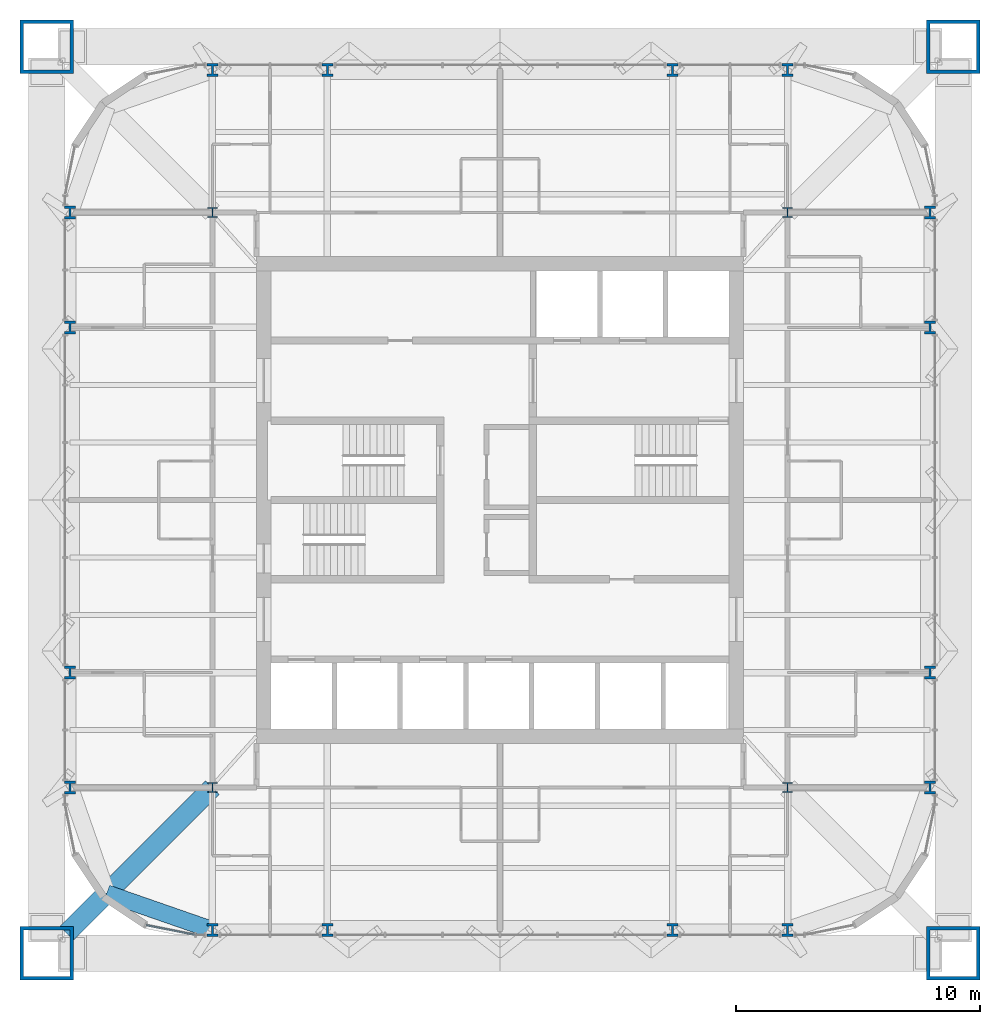
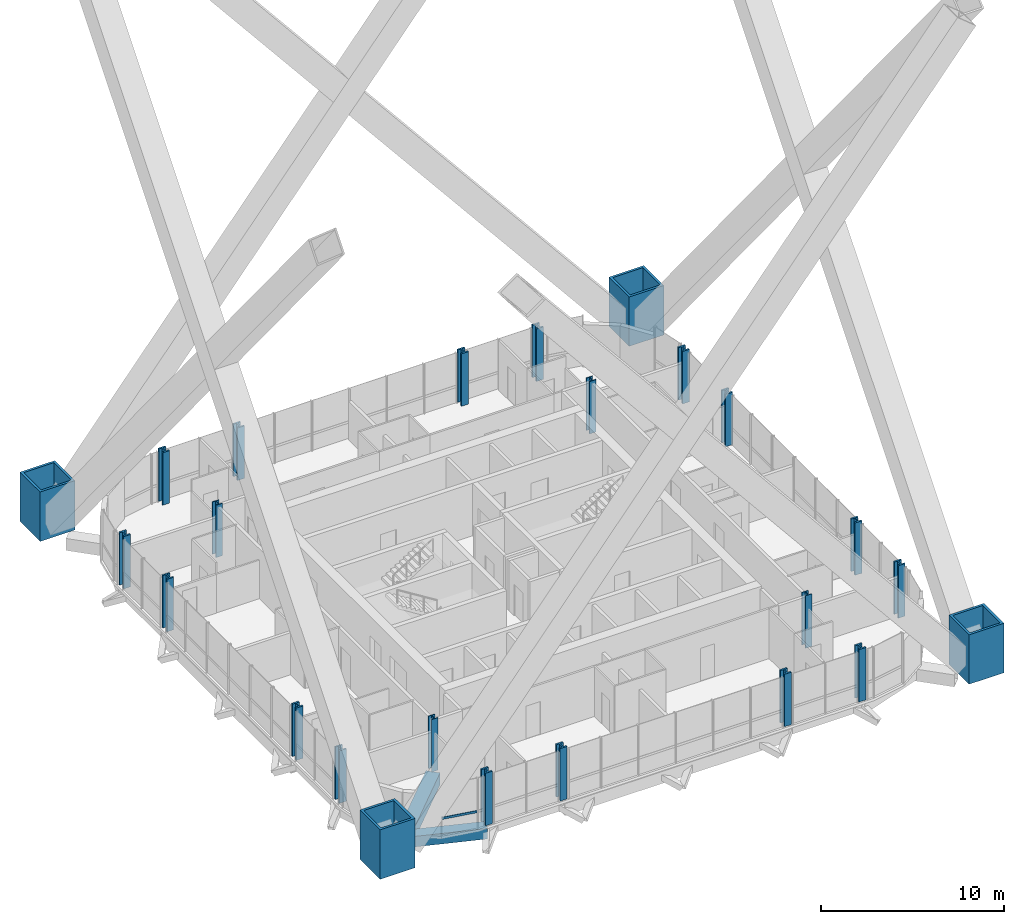
# One storey, part 1 of 23: 24 columns, 2 beams, 1 member, 1 element without a shape of its own.
"""IFC4 building model written with IfcOpenShell, lengths in metres."""

from ifc_helpers import new_model, si_unit, direction, frame, origin, origin_2d, place, context, subcontext, project, spatial, rectangle, hollow_rectangle, i_section, extrude, clip, halfspace, material, material_profile, profile_set, type_object, element, aggregate, save


model = new_model("IFC4")

# Units and contexts
model_context = context("Model", 3, precision=1e-05, world=origin(), true_north=direction((0.0, 1.0)))
body_context = subcontext(model_context, "Body", "Model", "MODEL_VIEW")
ifc_project = project(units=[si_unit("LENGTHUNIT", "METRE"), si_unit("AREAUNIT", "SQUARE_METRE"), si_unit("VOLUMEUNIT", "CUBIC_METRE"), si_unit("PLANEANGLEUNIT", "RADIAN"), si_unit("MASSUNIT", "GRAM", prefix="KILO")], contexts=[model_context])

# Site, building, storey
site_placement = place(None, origin())
site = spatial("IfcSite", under=ifc_project, at=site_placement, CompositionType="ELEMENT")
building_placement = place(site_placement, origin())
building = spatial("IfcBuilding", under=site, at=building_placement, Name="Turquesa Mirador Hotel Tower", CompositionType="ELEMENT")
storey_placement = place(building_placement, frame((0.0, 0.0, 226.699951171875)))
storey = spatial("IfcBuildingStorey", under=building, at=storey_placement, Name="L61", CompositionType="ELEMENT", Elevation=226.699951171875)

# Columns
ifc_material_1 = material(Name="Steel ASTM A992 Grade 50", Category="steel")
ifc_material_profile_1 = material_profile(ifc_material_1, i_section(OverallWidth=0.406494140625, OverallDepth=0.41650390625, WebThickness=0.030029296875, FlangeThickness=0.048095703125, at=origin_2d()), Name="W14X257")
ifc_profile_set_1 = profile_set([ifc_material_profile_1], Name="Steel ASTM A992 Grade 50")
column_type_1 = type_object("IfcColumnType", Name="COLUMN W14X257", PredefinedType="COLUMN", material=ifc_profile_set_1)
for number, where, z_axis, x_axis, name in (
    (1, (43.199951171875, 33.199951171875, 0.0), (0.0, 0.0, 1.0), (1.0, 0.0, 0.0), "COL-L61-K--11.80--11.80"),
    (2, (43.199951171875, 56.800048828125, 0.0), (0.0, 0.0, 1.0), (1.0, 0.0, 0.0), "COL-L61-K--11.80-+11.80"),
    (3, (66.800048828125, 33.199951171875, 0.0), (0.0, 0.0, 1.0), (1.0, 0.0, 0.0), "COL-L61-K-+11.80--11.80"),
    (4, (66.800048828125, 56.800048828125, 0.0), (0.0, 0.0, 1.0), (1.0, 0.0, 0.0), "COL-L61-K-+11.80-+11.80"),
):
    element("IfcColumn", number, at=place(storey_placement, frame(where, z_axis=z_axis, x_axis=x_axis)), inside=storey, type_object=column_type_1, Name=name, PredefinedType="COLUMN", context=body_context, shape_type="SweptSolid", body=[
        extrude(i_section(OverallWidth=0.406494140625, OverallDepth=0.41650390625, WebThickness=0.030029296875, FlangeThickness=0.048095703125, at=origin_2d()), origin(), (0.0, 0.0, 1.0), 3.5),
    ])
ifc_material_2 = material(Name="Steel ASTM A992 Grade 50", Category="steel")
ifc_material_profile_2 = material_profile(ifc_material_2, i_section(OverallWidth=0.44189453125, OverallDepth=0.53076171875, WebThickness=0.06591796875, FlangeThickness=0.105712890625, at=origin_2d()), Name="W14X605")
ifc_profile_set_2 = profile_set([ifc_material_profile_2], Name="Steel ASTM A992 Grade 50")
column_type_2 = type_object("IfcColumnType", Name="COLUMN W14X605", PredefinedType="COLUMN", material=ifc_profile_set_2)
for number, where, z_axis, x_axis, name in (
    (5, (37.35009765625, 33.199951171875, 0.0), (0.0, 0.0, 1.0), (1.0, 0.0, 0.0), "COL-L61-P--17.65--11.80"),
    (6, (37.35009765625, 37.919921875, 0.0), (0.0, 0.0, 1.0), (1.0, 0.0, 0.0), "COL-L61-P--17.65--7.08"),
    (7, (37.35009765625, 52.080078125, 0.0), (0.0, 0.0, 1.0), (1.0, 0.0, 0.0), "COL-L61-P--17.65-+7.08"),
    (8, (37.35009765625, 56.800048828125, 0.0), (0.0, 0.0, 1.0), (1.0, 0.0, 0.0), "COL-L61-P--17.65-+11.80"),
    (9, (43.199951171875, 27.35009765625, 0.0), (0.0, 0.0, 1.0), (1.0, 0.0, 0.0), "COL-L61-P--11.80--17.65"),
    (10, (43.199951171875, 62.64990234375, 0.0), (0.0, 0.0, 1.0), (1.0, 0.0, 0.0), "COL-L61-P--11.80-+17.65"),
    (11, (47.919921875, 27.35009765625, 0.0), (0.0, 0.0, 1.0), (1.0, 0.0, 0.0), "COL-L61-P--7.08--17.65"),
    (12, (47.919921875, 62.64990234375, 0.0), (0.0, 0.0, 1.0), (1.0, 0.0, 0.0), "COL-L61-P--7.08-+17.65"),
    (13, (62.080078125, 27.35009765625, 0.0), (0.0, 0.0, 1.0), (1.0, 0.0, 0.0), "COL-L61-P-+7.08--17.65"),
    (14, (62.080078125, 62.64990234375, 0.0), (0.0, 0.0, 1.0), (1.0, 0.0, 0.0), "COL-L61-P-+7.08-+17.65"),
    (15, (66.800048828125, 27.35009765625, 0.0), (0.0, 0.0, 1.0), (1.0, 0.0, 0.0), "COL-L61-P-+11.80--17.65"),
    (16, (66.800048828125, 62.64990234375, 0.0), (0.0, 0.0, 1.0), (1.0, 0.0, 0.0), "COL-L61-P-+11.80-+17.65"),
    (17, (72.64990234375, 33.199951171875, 0.0), (0.0, 0.0, 1.0), (1.0, 0.0, 0.0), "COL-L61-P-+17.65--11.80"),
    (18, (72.64990234375, 37.919921875, 0.0), (0.0, 0.0, 1.0), (1.0, 0.0, 0.0), "COL-L61-P-+17.65--7.08"),
    (19, (72.64990234375, 52.080078125, 0.0), (0.0, 0.0, 1.0), (1.0, 0.0, 0.0), "COL-L61-P-+17.65-+7.08"),
    (20, (72.64990234375, 56.800048828125, 0.0), (0.0, 0.0, 1.0), (1.0, 0.0, 0.0), "COL-L61-P-+17.65-+11.80"),
):
    element("IfcColumn", number, at=place(storey_placement, frame(where, z_axis=z_axis, x_axis=x_axis)), inside=storey, type_object=column_type_2, Name=name, PredefinedType="COLUMN", context=body_context, shape_type="SweptSolid", body=[
        extrude(i_section(OverallWidth=0.44189453125, OverallDepth=0.53076171875, WebThickness=0.06591796875, FlangeThickness=0.105712890625, at=origin_2d()), origin(), (0.0, 0.0, 1.0), 3.5),
    ])
ifc_material_3 = material(Name="Steel ASTM A514 Grade Q", Category="steel")
ifc_material_profile_3 = material_profile(ifc_material_3, hollow_rectangle(XDim=2.199951171875, YDim=2.199951171875, WallThickness=0.14990234375, at=origin_2d()), Name="BOX2200X2200X150")
ifc_profile_set_3 = profile_set([ifc_material_profile_3], Name="Steel ASTM A514 Grade Q")
column_type_3 = type_object("IfcColumnType", Name="MEGA COLUMN BOX2200X2200X150", PredefinedType="COLUMN", material=ifc_profile_set_3)
for number, where, z_axis, x_axis, name in (
    (21, (73.60009765625, 63.60009765625, 0.0), (0.0, 0.0, 1.0), (1.0, 0.0, 0.0), "Mega column M1"),
    (22, (36.39990234375, 63.60009765625, 0.0), (0.0, 0.0, 1.0), (1.0, 0.0, 0.0), "Mega column M2"),
    (23, (36.39990234375, 26.39990234375, 0.0), (0.0, 0.0, 1.0), (1.0, 0.0, 0.0), "Mega column M3"),
    (24, (73.60009765625, 26.39990234375, 0.0), (0.0, 0.0, 1.0), (1.0, 0.0, 0.0), "Mega column M4"),
):
    element("IfcColumn", number, at=place(storey_placement, frame(where, z_axis=z_axis, x_axis=x_axis)), inside=storey, type_object=column_type_3, Name=name, PredefinedType="COLUMN", context=body_context, shape_type="Clipping", body=[
        clip(extrude(hollow_rectangle(XDim=2.199951171875, YDim=2.199951171875, WallThickness=0.14990234375, at=origin_2d()), origin(), (0.0, 0.0, 1.0), 3.5), halfspace(frame((0.0, 0.0, 0.201904296875), z_axis=(0.0, 0.0, -1.0), x_axis=(1.0, 0.0, 0.0)), False)),
    ])

# Beams
ifc_material_4 = material(Name="Steel ASTM A572 Grade 50", Category="steel")
ifc_material_profile_4 = material_profile(ifc_material_4, hollow_rectangle(XDim=0.699951171875, YDim=0.699951171875, WallThickness=0.044921875, at=origin_2d()), Name="BOX700X700X45")
ifc_profile_set_4 = profile_set([ifc_material_profile_4], Name="Steel ASTM A572 Grade 50")
beam_type_1 = type_object("IfcBeamType", Name="BEAM BOX700X700X45", PredefinedType="BEAM", material=ifc_profile_set_4)
beam_1_placement = place(storey_placement, frame((38.8583984375, 28.8583984375, -0.52001953125), z_axis=(0.944618556552, -0.328170356092, 0.0), x_axis=(0.328170356092, 0.944618556552, 0.0)))
element("IfcBeam", 25, at=beam_1_placement, inside=storey, type_object=beam_type_1, Name="KE-L61-3-1", PredefinedType="BEAM", context=body_context, shape_type="SweptSolid", body=[
    extrude(hollow_rectangle(XDim=0.699951171875, YDim=0.699951171875, WallThickness=0.044921875, at=origin_2d()), origin(), (0.0, 0.0, 1.0), 4.59619140625),
])
ifc_material_5 = material(Name="Steel ASTM A572 Grade 50", Category="steel")
ifc_material_profile_5 = material_profile(ifc_material_5, hollow_rectangle(XDim=0.800048828125, YDim=0.800048828125, WallThickness=0.050048828125, at=origin_2d()), Name="BOX800X800X50")
ifc_profile_set_5 = profile_set([ifc_material_profile_5], Name="Steel ASTM A572 Grade 50")
beam_type_2 = type_object("IfcBeamType", Name="BEAM BOX800X800X50", PredefinedType="BEAM", material=ifc_profile_set_5)
beam_2_placement = place(storey_placement, frame((43.199951171875, 33.199951171875, -0.570068359375), z_axis=(-0.707106781187, -0.707106781187, 0.0), x_axis=(0.707106781187, -0.707106781187, 0.0)))
element("IfcBeam", 26, at=beam_2_placement, inside=storey, type_object=beam_type_2, Name="KD-L61-3", PredefinedType="BEAM", context=body_context, shape_type="SweptSolid", body=[
    extrude(hollow_rectangle(XDim=0.800048828125, YDim=0.800048828125, WallThickness=0.050048828125, at=origin_2d()), origin(), (0.0, 0.0, 1.0), 8.46240234375),
])

# Curtain wall, member
ifc_material_6 = material(Name="Aluminium extrusion", Category="aluminium")
curtain_wall_type = type_object("IfcCurtainWallType", Name="CW-4 SUITE FRITTED CURTAIN WALL", PredefinedType="USERDEFINED", material=ifc_material_6)
curtain_wall_placement = place(storey_placement, origin())
curtain_wall = element("IfcCurtainWall", 27, at=curtain_wall_placement, inside=storey, type_object=curtain_wall_type, Name="CW-4 SUITE FRITTED CURTAIN WALL L61", ObjectType="CURTAIN WALL", PredefinedType="USERDEFINED")
ifc_material_7 = material(Name="Aluminium extrusion", Category="aluminium")
ifc_material_profile_6 = material_profile(ifc_material_7, rectangle(XDim=0.06494140625, YDim=0.14990234375, at=origin_2d()), Name="TRANSOM 65X150")
ifc_profile_set_6 = profile_set([ifc_material_profile_6], Name="Aluminium extrusion")
member_type = type_object("IfcMemberType", Name="CW TRANSOM 65X150", PredefinedType="USERDEFINED", material=ifc_profile_set_6)
member_placement = place(storey_placement, frame((40.484619140625, 27.551025390625, 1.10009765625), z_axis=(0.980761343592, -0.195210621934, 0.0), x_axis=(0.195210621934, 0.980761343592, 0.0)))
member = element("IfcMember", 28, at=member_placement, type_object=member_type, Name="Transom", ObjectType="TRANSOM", PredefinedType="USERDEFINED", context=body_context, shape_type="SweptSolid", body=[
    extrude(rectangle(XDim=0.06494140625, YDim=0.14990234375, at=origin_2d()), origin(), (0.0, 0.0, 1.0), 2.022216796875),
])
aggregate(curtain_wall, [member])

save(model, "model.ifc")
